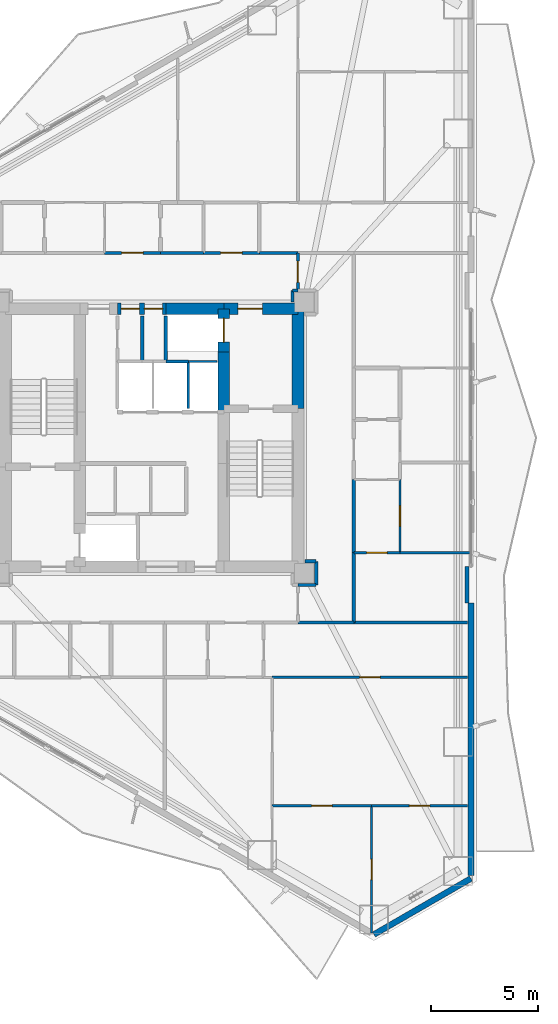
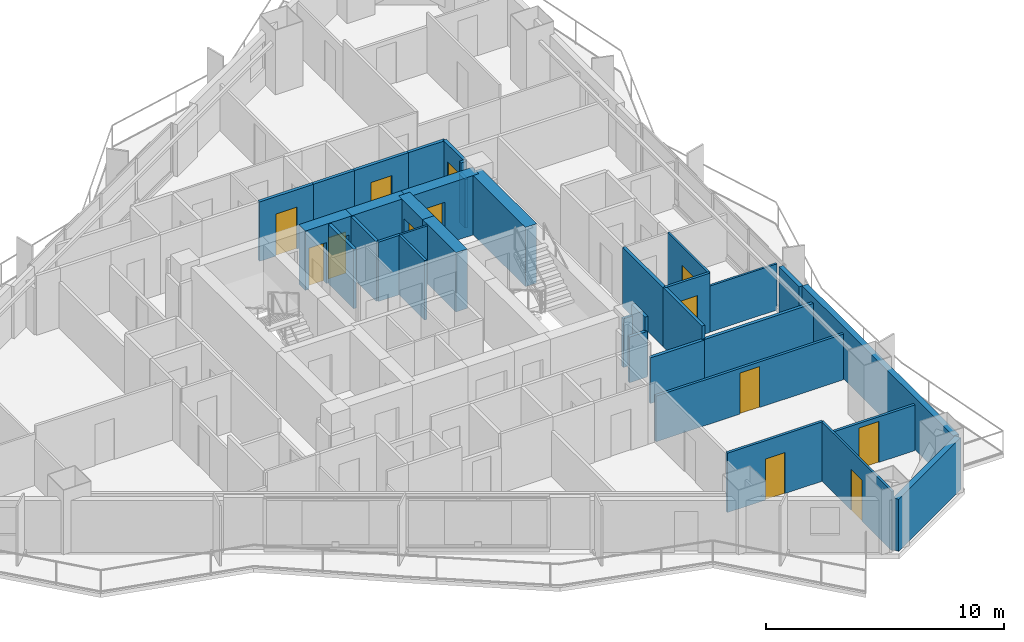
# One storey, part 15 of 19: 35 walls, 13 doors, 13 openings.
"""IFC4 building model written with IfcOpenShell, lengths in metres."""

from ifc_helpers import new_model, si_unit, direction, frame, frame_2d, origin, place, context, subcontext, project, spatial, rectangle, extrude, material, layer, layer_set, type_object, element, fill, save


model = new_model("IFC4")

# Units and contexts
model_context = context("Model", 3, precision=1e-05, world=origin(), true_north=direction((0.0, 1.0)))
body_context = subcontext(model_context, "Body", "Model", "MODEL_VIEW")
ifc_project = project(units=[si_unit("LENGTHUNIT", "METRE"), si_unit("AREAUNIT", "SQUARE_METRE"), si_unit("VOLUMEUNIT", "CUBIC_METRE"), si_unit("PLANEANGLEUNIT", "RADIAN"), si_unit("MASSUNIT", "GRAM", prefix="KILO")], contexts=[model_context])

# Site, building, storey
site_placement = place(None, origin())
site = spatial("IfcSite", under=ifc_project, at=site_placement, CompositionType="ELEMENT")
building_placement = place(site_placement, origin())
building = spatial("IfcBuilding", under=site, at=building_placement, Name="Mersakhor Tower and Convention Hall", CompositionType="ELEMENT")
storey_placement = place(building_placement, frame((0.0, 0.0, 22.5)))
storey = spatial("IfcBuildingStorey", under=building, at=storey_placement, Name="L05", CompositionType="ELEMENT", Elevation=22.5)

# Walls
ifc_material_1 = material(Name="Precast concrete C45/55", Category="concrete")
ifc_layer_1 = layer(ifc_material_1, 0.27490234375)
ifc_layer_set_1 = layer_set([ifc_layer_1], Name="Precast concrete C45/55")
wall_type_1 = type_object("IfcWallType", Name="WL-EXT-275", PredefinedType="SOLIDWALL", material=ifc_layer_set_1)
wall_1_placement = place(storey_placement, frame((43.85009765625, 6.240234375, 0.0), z_axis=(0.0, 0.0, 1.0), x_axis=(-0.866043601342, -0.499968479581, 0.0)))
element("IfcWall", 1, at=wall_1_placement, inside=storey, type_object=wall_type_1, Name="L05 Chamfer Braced Spandrel Wall C2", PredefinedType="SOLIDWALL", context=body_context, shape_type="SweptSolid", body=[
    extrude(rectangle(XDim=5.211181640625, YDim=0.27490234375, at=frame_2d((2.60546875, 0.0))), origin(), (0.0, 0.0, 1.0), 2.659912109375),
])
wall_2_placement = place(storey_placement, frame((43.85009765625, 19.0634765625, 0.0), z_axis=(0.0, 0.0, 1.0), x_axis=(0.0, -1.0, 0.0)))
element("IfcWall", 2, at=wall_2_placement, inside=storey, type_object=wall_type_1, Name="L05 Exterior Facade Wall F2-B3", PredefinedType="SOLIDWALL", context=body_context, shape_type="SweptSolid", body=[
    extrude(rectangle(XDim=12.673095703125, YDim=0.27490234375, at=frame_2d((6.33642578125, 0.0))), origin(), (0.0, 0.0, 1.0), 2.659912109375),
])
ifc_material_2 = material(Name="Precast concrete C40/50", Category="concrete")
ifc_layer_2 = layer(ifc_material_2, 0.199951171875)
ifc_layer_set_2 = layer_set([ifc_layer_2], Name="Precast concrete C40/50")
wall_type_2 = type_object("IfcWallType", Name="WL-PAR-200", PredefinedType="PARAPET", material=ifc_layer_set_2)
wall_3_placement = place(storey_placement, frame((43.669921875, 20.763427734375, 0.0), z_axis=(0.0, 0.0, 1.0), x_axis=(0.0, -1.0, 0.0)))
element("IfcWall", 3, at=wall_3_placement, inside=storey, type_object=wall_type_2, Name="L05 Column Pier Cladding Wall F2-C2", PredefinedType="PARAPET", context=body_context, shape_type="SweptSolid", body=[
    extrude(rectangle(XDim=1.699951171875, YDim=0.199951171875, at=frame_2d((0.85009765625, 0.0))), origin(), (0.0, 0.0, 1.0), 2.659912109375),
])
ifc_material_3 = material(Name="Lightweight gypsum partition", Category="other")
ifc_layer_3 = layer(ifc_material_3, 0.10009765625)
ifc_layer_set_3 = layer_set([ifc_layer_3], Name="Lightweight gypsum partition")
wall_type_3 = type_object("IfcWallType", Name="WL-PRT-100", PredefinedType="PARTITIONING", material=ifc_layer_set_3)
wall_4_placement = place(storey_placement, frame((32.02490234375, 30.300048828125, 0.0), z_axis=(0.0, 0.0, 1.0), x_axis=(-1.0, 0.0, 0.0)))
element("IfcWall", 4, at=wall_4_placement, inside=storey, type_object=wall_type_3, Name="L05 Interior Partition Wall P-004", PredefinedType="PARTITIONING", context=body_context, shape_type="SweptSolid", body=[
    extrude(rectangle(XDim=1.324951171875, YDim=0.10009765625, at=frame_2d((0.66259765625, 0.0))), origin(), (0.0, 0.0, 1.0), 3.0400390625),
])
wall_5_placement = place(storey_placement, frame((40.550048828125, 21.39990234375, 0.0), z_axis=(0.0, 0.0, 1.0), x_axis=(1.0, 0.0, 0.0)))
element("IfcWall", 5, at=wall_5_placement, inside=storey, type_object=wall_type_3, Name="L05 Interior Partition Wall P-102", PredefinedType="PARTITIONING", context=body_context, shape_type="SweptSolid", body=[
    extrude(rectangle(XDim=3.263916015625, YDim=0.10009765625, at=frame_2d((1.6318359375, 0.0))), origin(), (0.0, 0.0, 1.0), 2.364990234375),
])

# Wall, opening, door
wall_6_placement = place(storey_placement, frame((39.22998046875, 9.6201171875, 0.0), z_axis=(0.0, 0.0, 1.0), x_axis=(0.0, -1.0, 0.0)))
wall_6 = element("IfcWall", 6, at=wall_6_placement, inside=storey, type_object=wall_type_3, Name="L05 Interior Partition Wall P-134", PredefinedType="PARTITIONING", context=body_context, shape_type="SweptSolid", body=[
    extrude(rectangle(XDim=5.924072265625, YDim=0.10009765625, at=frame_2d((2.9619140625, 0.0))), origin(), (0.0, 0.0, 1.0), 3.0400390625),
])
opening_1_placement = place(wall_6_placement, frame((2.487060546875, 0.0, 0.0)))
opening_1 = element("IfcOpeningElement", 7, at=opening_1_placement, cuts=wall_6, Name="Opening RD-01", PredefinedType="OPENING", context=body_context, shape_type="SweptSolid", body=[
    extrude(rectangle(XDim=0.949951171875, YDim=2.10009765625, at=frame_2d((0.47509765625, 1.050048828125))), frame((0.0, 0.06005859375, 0.0), z_axis=(0.0, -1.0, 0.0), x_axis=(1.0, 0.0, 0.0)), (0.0, 0.0, 1.0), 0.1201171875),
])
ifc_material_4 = material(Name="Solid-core hardwood leaf in painted steel frame", Category="steel")
door_type_1 = type_object("IfcDoorType", Name="DR-INT-RM-095x210", OperationType="NOTDEFINED", PredefinedType="DOOR", material=ifc_material_4)
door_1_placement = place(opening_1_placement, origin())
door_1 = element("IfcDoor", 8, at=door_1_placement, inside=storey, type_object=door_type_1, Name="L05 L05 Flat S3 Bedroom 1 to L05 Flat S3 Study Room Door", OperationType="SINGLE_SWING_LEFT", OverallHeight=2.10009765625, OverallWidth=0.949951171875, PredefinedType="DOOR", context=body_context, shape_type="SweptSolid", body=[
    extrude(rectangle(XDim=0.949951171875, YDim=2.10009765625, at=frame_2d((0.47509765625, 1.050048828125))), frame((0.0, 0.02490234375, 0.0), z_axis=(0.0, -1.0, 0.0), x_axis=(1.0, 0.0, 0.0)), (0.0, 0.0, 1.0), 0.050048828125),
])
fill(opening_1, door_1)

wall_7_placement = place(storey_placement, frame((40.550048828125, 21.39990234375, 0.0), z_axis=(0.0, 0.0, 1.0), x_axis=(0.0, 1.0, 0.0)))
wall_7 = element("IfcWall", 9, at=wall_7_placement, inside=storey, type_object=wall_type_3, Name="L05 Interior Partition Wall P-146", PredefinedType="PARTITIONING", context=body_context, shape_type="SweptSolid", body=[
    extrude(rectangle(XDim=3.400146484375, YDim=0.10009765625, at=frame_2d((1.7001953125, 0.0))), origin(), (0.0, 0.0, 1.0), 3.0400390625),
])
opening_2_placement = place(wall_7_placement, frame((1.22509765625, 0.0, 0.0)))
opening_2 = element("IfcOpeningElement", 10, at=opening_2_placement, cuts=wall_7, Name="Opening RD-01", PredefinedType="OPENING", context=body_context, shape_type="SweptSolid", body=[
    extrude(rectangle(XDim=0.949951171875, YDim=2.10009765625, at=frame_2d((0.47509765625, 1.050048828125))), frame((0.0, 0.06005859375, 0.0), z_axis=(0.0, -1.0, 0.0), x_axis=(1.0, 0.0, 0.0)), (0.0, 0.0, 1.0), 0.1201171875),
])
door_2_placement = place(opening_2_placement, origin())
door_2 = element("IfcDoor", 11, at=door_2_placement, inside=storey, type_object=door_type_1, Name="L05 L05 Flat E5 Bedroom 2 to L05 Flat E5 Dining Alcove Door", OperationType="SINGLE_SWING_LEFT", OverallHeight=2.10009765625, OverallWidth=0.949951171875, PredefinedType="DOOR", context=body_context, shape_type="SweptSolid", body=[
    extrude(rectangle(XDim=0.949951171875, YDim=2.10009765625, at=frame_2d((0.47509765625, 1.050048828125))), frame((0.0, 0.02490234375, 0.0), z_axis=(0.0, -1.0, 0.0), x_axis=(1.0, 0.0, 0.0)), (0.0, 0.0, 1.0), 0.050048828125),
])
fill(opening_2, door_2)

# Walls
ifc_material_5 = material(Name="Gypsum board acoustic partition", Category="other")
ifc_layer_4 = layer(ifc_material_5, 0.125)
ifc_layer_set_4 = layer_set([ifc_layer_4], Name="Gypsum board acoustic partition")
wall_type_4 = type_object("IfcWallType", Name="WL-PRT-125", PredefinedType="PARTITIONING", material=ifc_layer_set_4)
wall_8_placement = place(storey_placement, frame((30.699951171875, 30.300048828125, 0.0), z_axis=(0.0, 0.0, 1.0), x_axis=(-1.0, 0.0, 0.0)))
element("IfcWall", 12, at=wall_8_placement, inside=storey, type_object=wall_type_4, Name="L05 Interior Partition Wall P-005", PredefinedType="PARTITIONING", context=body_context, shape_type="SweptSolid", body=[
    extrude(rectangle(XDim=1.050048828125, YDim=0.125, at=frame_2d((0.52490234375, 0.0))), origin(), (0.0, 0.0, 1.0), 3.0400390625),
])
wall_9_placement = place(storey_placement, frame((30.699951171875, 30.300048828125, 0.0), z_axis=(0.0, 0.0, 1.0), x_axis=(0.0, -1.0, 0.0)))
element("IfcWall", 13, at=wall_9_placement, inside=storey, type_object=wall_type_4, Name="L05 Interior Partition Wall P-017", PredefinedType="PARTITIONING", context=body_context, shape_type="SweptSolid", body=[
    extrude(rectangle(XDim=2.199951171875, YDim=0.125, at=frame_2d((1.10009765625, 0.0))), origin(), (0.0, 0.0, 1.0), 3.0400390625),
])

# Wall, opening, door
wall_10_placement = place(storey_placement, frame((43.6884765625, 15.60009765625, 0.0), z_axis=(0.0, 0.0, 1.0), x_axis=(-1.0, 0.0, 0.0)))
wall_10 = element("IfcWall", 14, at=wall_10_placement, inside=storey, type_object=wall_type_4, Name="L05 Interior Partition Wall P-093", PredefinedType="PARTITIONING", context=body_context, shape_type="SweptSolid", body=[
    extrude(rectangle(XDim=9.08837890625, YDim=0.125, at=frame_2d((4.544189453125, 0.0))), origin(), (0.0, 0.0, 1.0), 2.33740234375),
])
opening_3_placement = place(wall_10_placement, frame((4.069091796875, 0.0, 0.0)))
opening_3 = element("IfcOpeningElement", 15, at=opening_3_placement, cuts=wall_10, Name="Opening RD-01", PredefinedType="OPENING", context=body_context, shape_type="SweptSolid", body=[
    extrude(rectangle(XDim=0.949951171875, YDim=2.10009765625, at=frame_2d((0.47509765625, 1.050048828125))), frame((0.0, 0.072509765625, 0.0), z_axis=(0.0, -1.0, 0.0), x_axis=(1.0, 0.0, 0.0)), (0.0, 0.0, 1.0), 0.14501953125),
])
door_3_placement = place(opening_3_placement, origin())
door_3 = element("IfcDoor", 16, at=door_3_placement, inside=storey, type_object=door_type_1, Name="L05 L05 Flat S3 Kitchen to L05 Flat S3 Dining Room Door", OperationType="SINGLE_SWING_LEFT", OverallHeight=2.10009765625, OverallWidth=0.949951171875, PredefinedType="DOOR", context=body_context, shape_type="SweptSolid", body=[
    extrude(rectangle(XDim=0.949951171875, YDim=2.10009765625, at=frame_2d((0.47509765625, 1.050048828125))), frame((0.0, 0.02490234375, 0.0), z_axis=(0.0, -1.0, 0.0), x_axis=(1.0, 0.0, 0.0)), (0.0, 0.0, 1.0), 0.050048828125),
])
fill(opening_3, door_3)

wall_11_placement = place(storey_placement, frame((38.39990234375, 21.39990234375, 0.0), z_axis=(0.0, 0.0, 1.0), x_axis=(1.0, 0.0, 0.0)))
wall_11 = element("IfcWall", 17, at=wall_11_placement, inside=storey, type_object=wall_type_4, Name="L05 Interior Partition Wall P-101", PredefinedType="PARTITIONING", context=body_context, shape_type="SweptSolid", body=[
    extrude(rectangle(XDim=2.150146484375, YDim=0.125, at=frame_2d((1.0751953125, 0.0))), origin(), (0.0, 0.0, 1.0), 3.0400390625),
])
opening_4_placement = place(wall_11_placement, frame((0.60009765625, 0.0, 0.0)))
opening_4 = element("IfcOpeningElement", 18, at=opening_4_placement, cuts=wall_11, Name="Opening RD-01", PredefinedType="OPENING", context=body_context, shape_type="SweptSolid", body=[
    extrude(rectangle(XDim=0.949951171875, YDim=2.10009765625, at=frame_2d((0.47509765625, 1.050048828125))), frame((0.0, 0.072509765625, 0.0), z_axis=(0.0, -1.0, 0.0), x_axis=(1.0, 0.0, 0.0)), (0.0, 0.0, 1.0), 0.14501953125),
])
door_4_placement = place(opening_4_placement, origin())
door_4 = element("IfcDoor", 19, at=door_4_placement, inside=storey, type_object=door_type_1, Name="L05 L05 Flat E5 Kitchen to L05 Flat E5 Dining Alcove Door", OperationType="SINGLE_SWING_LEFT", OverallHeight=2.10009765625, OverallWidth=0.949951171875, PredefinedType="DOOR", context=body_context, shape_type="SweptSolid", body=[
    extrude(rectangle(XDim=0.949951171875, YDim=2.10009765625, at=frame_2d((0.47509765625, 1.050048828125))), frame((0.0, 0.02490234375, 0.0), z_axis=(0.0, -1.0, 0.0), x_axis=(1.0, 0.0, 0.0)), (0.0, 0.0, 1.0), 0.050048828125),
])
fill(opening_4, door_4)

wall_12_placement = place(storey_placement, frame((34.60009765625, 9.6201171875, 0.0), z_axis=(0.0, 0.0, 1.0), x_axis=(1.0, 0.0, 0.0)))
wall_12 = element("IfcWall", 20, at=wall_12_placement, inside=storey, type_object=wall_type_4, Name="L05 Interior Partition Wall P-133", PredefinedType="PARTITIONING", context=body_context, shape_type="SweptSolid", body=[
    extrude(rectangle(XDim=4.6298828125, YDim=0.125, at=frame_2d((2.31494140625, 0.0))), origin(), (0.0, 0.0, 1.0), 3.0400390625),
])
opening_5_placement = place(wall_12_placement, frame((1.840087890625, 0.0, 0.0)))
opening_5 = element("IfcOpeningElement", 21, at=opening_5_placement, cuts=wall_12, Name="Opening RD-01", PredefinedType="OPENING", context=body_context, shape_type="SweptSolid", body=[
    extrude(rectangle(XDim=0.949951171875, YDim=2.10009765625, at=frame_2d((0.47509765625, 1.050048828125))), frame((0.0, 0.072509765625, 0.0), z_axis=(0.0, -1.0, 0.0), x_axis=(1.0, 0.0, 0.0)), (0.0, 0.0, 1.0), 0.14501953125),
])
door_5_placement = place(opening_5_placement, origin())
door_5 = element("IfcDoor", 22, at=door_5_placement, inside=storey, type_object=door_type_1, Name="L05 L05 Flat S3 Bedroom 1 to L05 Flat S3 Dining Room Door", OperationType="SINGLE_SWING_RIGHT", OverallHeight=2.10009765625, OverallWidth=0.949951171875, PredefinedType="DOOR", context=body_context, shape_type="SweptSolid", body=[
    extrude(rectangle(XDim=0.949951171875, YDim=2.10009765625, at=frame_2d((0.47509765625, 1.050048828125))), frame((0.0, 0.02490234375, 0.0), z_axis=(0.0, -1.0, 0.0), x_axis=(1.0, 0.0, 0.0)), (0.0, 0.0, 1.0), 0.050048828125),
])
fill(opening_5, door_5)

wall_13_placement = place(storey_placement, frame((39.22998046875, 9.6201171875, 0.0), z_axis=(0.0, 0.0, 1.0), x_axis=(1.0, 0.0, 0.0)))
wall_13 = element("IfcWall", 23, at=wall_13_placement, inside=storey, type_object=wall_type_4, Name="L05 Interior Partition Wall P-135", PredefinedType="PARTITIONING", context=body_context, shape_type="SweptSolid", body=[
    extrude(rectangle(XDim=4.45849609375, YDim=0.125, at=frame_2d((2.229248046875, 0.0))), origin(), (0.0, 0.0, 1.0), 2.33740234375),
])
opening_6_placement = place(wall_13_placement, frame((1.75439453125, 0.0, 0.0)))
opening_6 = element("IfcOpeningElement", 24, at=opening_6_placement, cuts=wall_13, Name="Opening RD-01", PredefinedType="OPENING", context=body_context, shape_type="SweptSolid", body=[
    extrude(rectangle(XDim=0.949951171875, YDim=2.10009765625, at=frame_2d((0.47509765625, 1.050048828125))), frame((0.0, 0.072509765625, 0.0), z_axis=(0.0, -1.0, 0.0), x_axis=(1.0, 0.0, 0.0)), (0.0, 0.0, 1.0), 0.14501953125),
])
door_6_placement = place(opening_6_placement, origin())
door_6 = element("IfcDoor", 25, at=door_6_placement, inside=storey, type_object=door_type_1, Name="L05 L05 Flat S3 Study Room to L05 Flat S3 Dining Room Door", OperationType="SINGLE_SWING_LEFT", OverallHeight=2.10009765625, OverallWidth=0.949951171875, PredefinedType="DOOR", context=body_context, shape_type="SweptSolid", body=[
    extrude(rectangle(XDim=0.949951171875, YDim=2.10009765625, at=frame_2d((0.47509765625, 1.050048828125))), frame((0.0, 0.02490234375, 0.0), z_axis=(0.0, -1.0, 0.0), x_axis=(1.0, 0.0, 0.0)), (0.0, 0.0, 1.0), 0.050048828125),
])
fill(opening_6, door_6)

# Wall
ifc_material_6 = material(Name="Fire-rated gypsum board stud partition", Category="other")
ifc_layer_5 = layer(ifc_material_6, 0.14990234375)
ifc_layer_set_5 = layer_set([ifc_layer_5], Name="Fire-rated gypsum board stud partition")
wall_type_5 = type_object("IfcWallType", Name="WL-PRT-150", PredefinedType="PARTITIONING", material=ifc_layer_set_5)
wall_14_placement = place(storey_placement, frame((29.64990234375, 30.300048828125, 0.0), z_axis=(0.0, 0.0, 1.0), x_axis=(0.0, 1.0, 0.0)))
element("IfcWall", 26, at=wall_14_placement, inside=storey, type_object=wall_type_5, Name="L05 Interior Partition Wall P-006", PredefinedType="PARTITIONING", context=body_context, shape_type="SweptSolid", body=[
    extrude(rectangle(XDim=2.125, YDim=0.14990234375, at=frame_2d((1.0625, 0.0))), origin(), (0.0, 0.0, 1.0), 3.0400390625),
])

# Wall, opening, door
wall_15_placement = place(storey_placement, frame((26.800048828125, 35.35009765625, 0.0), z_axis=(0.0, 0.0, 1.0), x_axis=(1.0, 0.0, 0.0)))
wall_15 = element("IfcWall", 27, at=wall_15_placement, inside=storey, type_object=wall_type_5, Name="L05 Interior Partition Wall P-040", PredefinedType="PARTITIONING", context=body_context, shape_type="SweptSolid", body=[
    extrude(rectangle(XDim=2.599853515625, YDim=0.14990234375, at=frame_2d((1.2998046875, 0.0))), origin(), (0.0, 0.0, 1.0), 3.0400390625),
])
opening_7_placement = place(wall_15_placement, frame((0.800048828125, 0.0, 0.0)))
opening_7 = element("IfcOpeningElement", 28, at=opening_7_placement, cuts=wall_15, Name="Opening FD-01", PredefinedType="OPENING", context=body_context, shape_type="SweptSolid", body=[
    extrude(rectangle(XDim=1.0, YDim=2.14990234375, at=frame_2d((0.5, 1.074951171875))), frame((0.0, 0.0849609375, 0.0), z_axis=(0.0, -1.0, 0.0), x_axis=(1.0, 0.0, 0.0)), (0.0, 0.0, 1.0), 0.169921875),
])
ifc_material_7 = material(Name="Fire-rated hardwood leaf and painted steel frame", Category="steel")
door_type_2 = type_object("IfcDoorType", Name="DR-INT-FLT-100x215", OperationType="NOTDEFINED", PredefinedType="DOOR", material=ifc_material_7)
door_7_placement = place(opening_7_placement, origin())
door_7 = element("IfcDoor", 29, at=door_7_placement, inside=storey, type_object=door_type_2, Name="L05 Apartment Entrance Door (Residential Ring Corridor to L05 Flat N1 Apartment Hall)", OperationType="SINGLE_SWING_LEFT", OverallHeight=2.14990234375, OverallWidth=1.0, PredefinedType="DOOR", context=body_context, shape_type="SweptSolid", body=[
    extrude(rectangle(XDim=1.0, YDim=2.14990234375, at=frame_2d((0.5, 1.074951171875))), frame((0.0, 0.02490234375, 0.0), z_axis=(0.0, -1.0, 0.0), x_axis=(1.0, 0.0, 0.0)), (0.0, 0.0, 1.0), 0.050048828125),
])
fill(opening_7, door_7)

# Wall
wall_16_placement = place(storey_placement, frame((29.39990234375, 35.35009765625, 0.0), z_axis=(0.0, 0.0, 1.0), x_axis=(1.0, 0.0, 0.0)))
element("IfcWall", 30, at=wall_16_placement, inside=storey, type_object=wall_type_5, Name="L05 Interior Partition Wall P-041", PredefinedType="PARTITIONING", context=body_context, shape_type="SweptSolid", body=[
    extrude(rectangle(XDim=2.0, YDim=0.14990234375, at=frame_2d((1.0, 0.0))), origin(), (0.0, 0.0, 1.0), 3.0400390625),
])

# Wall, opening, door
wall_17_placement = place(storey_placement, frame((31.39990234375, 35.35009765625, 0.0), z_axis=(0.0, 0.0, 1.0), x_axis=(1.0, 0.0, 0.0)))
wall_17 = element("IfcWall", 31, at=wall_17_placement, inside=storey, type_object=wall_type_5, Name="L05 Interior Partition Wall P-042", PredefinedType="PARTITIONING", context=body_context, shape_type="SweptSolid", body=[
    extrude(rectangle(XDim=2.60009765625, YDim=0.14990234375, at=frame_2d((1.300048828125, 0.0))), origin(), (0.0, 0.0, 1.0), 3.0400390625),
])
opening_8_placement = place(wall_17_placement, frame((0.800048828125, 0.0, 0.0)))
opening_8 = element("IfcOpeningElement", 32, at=opening_8_placement, cuts=wall_17, Name="Opening FD-01", PredefinedType="OPENING", context=body_context, shape_type="SweptSolid", body=[
    extrude(rectangle(XDim=1.0, YDim=2.14990234375, at=frame_2d((0.5, 1.074951171875))), frame((0.0, 0.0849609375, 0.0), z_axis=(0.0, -1.0, 0.0), x_axis=(1.0, 0.0, 0.0)), (0.0, 0.0, 1.0), 0.169921875),
])
door_8_placement = place(opening_8_placement, origin())
door_8 = element("IfcDoor", 33, at=door_8_placement, inside=storey, type_object=door_type_2, Name="L05 Residential Ring Corridor to L05 North Wing Shared Laundry Room Door", OperationType="SINGLE_SWING_LEFT", OverallHeight=2.14990234375, OverallWidth=1.0, PredefinedType="DOOR", context=body_context, shape_type="SweptSolid", body=[
    extrude(rectangle(XDim=1.0, YDim=2.14990234375, at=frame_2d((0.5, 1.074951171875))), frame((0.0, 0.02490234375, 0.0), z_axis=(0.0, -1.0, 0.0), x_axis=(1.0, 0.0, 0.0)), (0.0, 0.0, 1.0), 0.050048828125),
])
fill(opening_8, door_8)

# Wall
wall_18_placement = place(storey_placement, frame((34.0, 35.35009765625, 0.0), z_axis=(0.0, 0.0, 1.0), x_axis=(1.0, 0.0, 0.0)))
element("IfcWall", 34, at=wall_18_placement, inside=storey, type_object=wall_type_5, Name="L05 Interior Partition Wall P-043", PredefinedType="PARTITIONING", context=body_context, shape_type="SweptSolid", body=[
    extrude(rectangle(XDim=1.800048828125, YDim=0.14990234375, at=frame_2d((0.89990234375, 0.0))), origin(), (0.0, 0.0, 1.0), 3.0400390625),
])

# Wall, opening, door
wall_19_placement = place(storey_placement, frame((35.800048828125, 35.35009765625, 0.0), z_axis=(0.0, 0.0, 1.0), x_axis=(0.0, -1.0, 0.0)))
wall_19 = element("IfcWall", 35, at=wall_19_placement, inside=storey, type_object=wall_type_5, Name="L05 Interior Partition Wall P-044", PredefinedType="PARTITIONING", context=body_context, shape_type="SweptSolid", body=[
    extrude(rectangle(XDim=1.75, YDim=0.14990234375, at=frame_2d((0.875, 0.0))), origin(), (0.0, 0.0, 1.0), 3.0400390625),
])
opening_9_placement = place(wall_19_placement, frame((0.375, 0.0, 0.0)))
opening_9 = element("IfcOpeningElement", 36, at=opening_9_placement, cuts=wall_19, Name="Opening FD-01", PredefinedType="OPENING", context=body_context, shape_type="SweptSolid", body=[
    extrude(rectangle(XDim=1.0, YDim=2.14990234375, at=frame_2d((0.5, 1.074951171875))), frame((0.0, 0.0849609375, 0.0), z_axis=(0.0, -1.0, 0.0), x_axis=(1.0, 0.0, 0.0)), (0.0, 0.0, 1.0), 0.169921875),
])
door_9_placement = place(opening_9_placement, origin())
door_9 = element("IfcDoor", 37, at=door_9_placement, inside=storey, type_object=door_type_2, Name="L05 Ring Corridor Fire Door", OperationType="SINGLE_SWING_RIGHT", OverallHeight=2.14990234375, OverallWidth=1.0, PredefinedType="DOOR", context=body_context, shape_type="SweptSolid", body=[
    extrude(rectangle(XDim=1.0, YDim=2.14990234375, at=frame_2d((0.5, 1.074951171875))), frame((0.0, 0.02490234375, 0.0), z_axis=(0.0, -1.0, 0.0), x_axis=(1.0, 0.0, 0.0)), (0.0, 0.0, 1.0), 0.050048828125),
])
fill(opening_9, door_9)

# Walls
wall_20_placement = place(storey_placement, frame((35.800048828125, 33.60009765625, 0.0), z_axis=(0.0, 0.0, 1.0), x_axis=(-1.0, 0.0, 0.0)))
element("IfcWall", 38, at=wall_20_placement, inside=storey, type_object=wall_type_5, Name="L05 Interior Partition Wall P-045", PredefinedType="PARTITIONING", context=body_context, shape_type="SweptSolid", body=[
    extrude(rectangle(XDim=0.25, YDim=0.14990234375, at=frame_2d((0.125, 0.0))), origin(), (0.0, 0.0, 1.0), 3.0400390625),
])
wall_21_placement = place(storey_placement, frame((35.550048828125, 33.60009765625, 0.0), z_axis=(0.0, 0.0, 1.0), x_axis=(0.0, -1.0, 0.0)))
element("IfcWall", 39, at=wall_21_placement, inside=storey, type_object=wall_type_5, Name="L05 Interior Partition Wall P-046", PredefinedType="PARTITIONING", context=body_context, shape_type="SweptSolid", body=[
    extrude(rectangle(XDim=0.525146484375, YDim=0.14990234375, at=frame_2d((0.2626953125, 0.0))), origin(), (0.0, 0.0, 1.0), 2.48828125),
])
wall_22_placement = place(storey_placement, frame((36.64990234375, 21.0, 0.0), z_axis=(0.0, 0.0, 1.0), x_axis=(-1.0, 0.0, 0.0)))
element("IfcWall", 40, at=wall_22_placement, inside=storey, type_object=wall_type_5, Name="L05 Interior Partition Wall P-053", PredefinedType="PARTITIONING", context=body_context, shape_type="SweptSolid", body=[
    extrude(rectangle(XDim=0.52490234375, YDim=0.14990234375, at=frame_2d((0.262451171875, 0.0))), origin(), (0.0, 0.0, 1.0), 2.48828125),
])
wall_23_placement = place(storey_placement, frame((38.39990234375, 24.800048828125, 0.0), z_axis=(0.0, 0.0, 1.0), x_axis=(0.0, -1.0, 0.0)))
element("IfcWall", 41, at=wall_23_placement, inside=storey, type_object=wall_type_5, Name="L05 Interior Partition Wall P-061", PredefinedType="PARTITIONING", context=body_context, shape_type="SweptSolid", body=[
    extrude(rectangle(XDim=3.400146484375, YDim=0.14990234375, at=frame_2d((1.7001953125, 0.0))), origin(), (0.0, 0.0, 1.0), 3.0400390625),
])
wall_24_placement = place(storey_placement, frame((38.39990234375, 21.39990234375, 0.0), z_axis=(0.0, 0.0, 1.0), x_axis=(0.0, -1.0, 0.0)))
element("IfcWall", 42, at=wall_24_placement, inside=storey, type_object=wall_type_5, Name="L05 Interior Partition Wall P-062", PredefinedType="PARTITIONING", context=body_context, shape_type="SweptSolid", body=[
    extrude(rectangle(XDim=3.25, YDim=0.14990234375, at=frame_2d((1.625, 0.0))), origin(), (0.0, 0.0, 1.0), 3.0400390625),
])
wall_25_placement = place(storey_placement, frame((38.39990234375, 18.14990234375, 0.0), z_axis=(0.0, 0.0, 1.0), x_axis=(-1.0, 0.0, 0.0)))
element("IfcWall", 43, at=wall_25_placement, inside=storey, type_object=wall_type_5, Name="L05 Interior Partition Wall P-063", PredefinedType="PARTITIONING", context=body_context, shape_type="SweptSolid", body=[
    extrude(rectangle(XDim=2.599853515625, YDim=0.14990234375, at=frame_2d((1.2998046875, 0.0))), origin(), (0.0, 0.0, 1.0), 2.33740234375),
])
wall_26_placement = place(storey_placement, frame((35.800048828125, 19.89990234375, 0.0), z_axis=(0.0, 0.0, 1.0), x_axis=(1.0, 0.0, 0.0)))
element("IfcWall", 44, at=wall_26_placement, inside=storey, type_object=wall_type_5, Name="L05 Interior Partition Wall P-064", PredefinedType="PARTITIONING", context=body_context, shape_type="SweptSolid", body=[
    extrude(rectangle(XDim=0.849853515625, YDim=0.14990234375, at=frame_2d((0.4248046875, 0.0))), origin(), (0.0, 0.0, 1.0), 2.33740234375),
])
wall_27_placement = place(storey_placement, frame((36.64990234375, 19.89990234375, 0.0), z_axis=(0.0, 0.0, 1.0), x_axis=(0.0, 1.0, 0.0)))
element("IfcWall", 45, at=wall_27_placement, inside=storey, type_object=wall_type_5, Name="L05 Interior Partition Wall P-065", PredefinedType="PARTITIONING", context=body_context, shape_type="SweptSolid", body=[
    extrude(rectangle(XDim=1.10009765625, YDim=0.14990234375, at=frame_2d((0.550048828125, 0.0))), origin(), (0.0, 0.0, 1.0), 3.0400390625),
])
wall_28_placement = place(storey_placement, frame((38.39990234375, 18.14990234375, 0.0), z_axis=(0.0, 0.0, 1.0), x_axis=(1.0, 0.0, 0.0)))
element("IfcWall", 46, at=wall_28_placement, inside=storey, type_object=wall_type_5, Name="L05 Interior Partition Wall P-092", PredefinedType="PARTITIONING", context=body_context, shape_type="SweptSolid", body=[
    extrude(rectangle(XDim=5.28857421875, YDim=0.14990234375, at=frame_2d((2.644287109375, 0.0))), origin(), (0.0, 0.0, 1.0), 2.364990234375),
])
wall_29_placement = place(storey_placement, frame((28.550048828125, 32.425048828125, 0.0), z_axis=(0.0, 0.0, 1.0), x_axis=(0.0, -1.0, 0.0)))
element("IfcWall", 47, at=wall_29_placement, inside=storey, type_object=wall_type_5, Name="L05 Interior Partition Wall P-103", PredefinedType="PARTITIONING", context=body_context, shape_type="SweptSolid", body=[
    extrude(rectangle(XDim=2.125, YDim=0.14990234375, at=frame_2d((1.0625, 0.0))), origin(), (0.0, 0.0, 1.0), 3.0400390625),
])

# Wall, openings, doors
ifc_material_8 = material(Name="Concrete C70/85", Category="concrete")
ifc_layer_6 = layer(ifc_material_8, 0.550048828125)
ifc_layer_set_6 = layer_set([ifc_layer_6], Name="Concrete C70/85")
wall_type_6 = type_object("IfcWallType", Name="WL-SHR-550", PredefinedType="SHEAR", material=ifc_layer_set_6)
wall_30_placement = place(storey_placement, frame((27.39990234375, 32.75, 0.0), z_axis=(0.0, 0.0, 1.0), x_axis=(1.0, 0.0, 0.0)))
wall_30 = element("IfcWall", 48, at=wall_30_placement, inside=storey, type_object=wall_type_6, Name="L05 Core Wall CW-N2B", PredefinedType="SHEAR", context=body_context, shape_type="SweptSolid", body=[
    extrude(rectangle(XDim=2.25, YDim=0.550048828125, at=frame_2d((1.125, 0.0))), origin(), (0.0, 0.0, 1.0), 3.0400390625),
])
opening_10_placement = place(wall_30_placement, frame((0.169921875, 0.0, 0.0)))
opening_10 = element("IfcOpeningElement", 49, at=opening_10_placement, cuts=wall_30, Name="Opening SVD-01", PredefinedType="OPENING", context=body_context, shape_type="SweptSolid", body=[
    extrude(rectangle(XDim=0.85009765625, YDim=2.10009765625, at=frame_2d((0.425048828125, 1.050048828125))), frame((0.0, 0.284912109375, 0.0), z_axis=(0.0, -1.0, 0.0), x_axis=(1.0, 0.0, 0.0)), (0.0, 0.0, 1.0), 0.570068359375),
])
opening_11_placement = place(wall_30_placement, frame((1.2548828125, 0.0, 0.0)))
opening_11 = element("IfcOpeningElement", 50, at=opening_11_placement, cuts=wall_30, Name="Opening SVD-01", PredefinedType="OPENING", context=body_context, shape_type="SweptSolid", body=[
    extrude(rectangle(XDim=0.85009765625, YDim=2.10009765625, at=frame_2d((0.425048828125, 1.050048828125))), frame((0.0, 0.284912109375, 0.0), z_axis=(0.0, -1.0, 0.0), x_axis=(1.0, 0.0, 0.0)), (0.0, 0.0, 1.0), 0.570068359375),
])
ifc_material_9 = material(Name="Fire-rated hardwood leaf and painted steel frame", Category="steel")
door_type_3 = type_object("IfcDoorType", Name="DR-INT-SVC-085x210", OperationType="NOTDEFINED", PredefinedType="DOOR", material=ifc_material_9)
door_10_placement = place(opening_10_placement, origin())
door_10 = element("IfcDoor", 51, at=door_10_placement, inside=storey, type_object=door_type_3, Name="L05 Residential Ring Corridor to Telecoms Distribution Room Door", OperationType="SINGLE_SWING_LEFT", OverallHeight=2.10009765625, OverallWidth=0.85009765625, PredefinedType="DOOR", context=body_context, shape_type="SweptSolid", body=[
    extrude(rectangle(XDim=0.85009765625, YDim=2.10009765625, at=frame_2d((0.425048828125, 1.050048828125))), frame((0.0, 0.02490234375, 0.0), z_axis=(0.0, -1.0, 0.0), x_axis=(1.0, 0.0, 0.0)), (0.0, 0.0, 1.0), 0.050048828125),
])
fill(opening_10, door_10)
door_11_placement = place(opening_11_placement, origin())
door_11 = element("IfcDoor", 52, at=door_11_placement, inside=storey, type_object=door_type_3, Name="L05 Residential Ring Corridor to Floor Housekeeping Store Room Door", OperationType="SINGLE_SWING_RIGHT", OverallHeight=2.10009765625, OverallWidth=0.85009765625, PredefinedType="DOOR", context=body_context, shape_type="SweptSolid", body=[
    extrude(rectangle(XDim=0.85009765625, YDim=2.10009765625, at=frame_2d((0.425048828125, 1.050048828125))), frame((0.0, 0.02490234375, 0.0), z_axis=(0.0, -1.0, 0.0), x_axis=(1.0, 0.0, 0.0)), (0.0, 0.0, 1.0), 0.050048828125),
])
fill(opening_11, door_11)

# Wall
wall_31_placement = place(storey_placement, frame((29.64990234375, 32.75, 0.0), z_axis=(0.0, 0.0, 1.0), x_axis=(1.0, 0.0, 0.0)))
element("IfcWall", 53, at=wall_31_placement, inside=storey, type_object=wall_type_6, Name="L05 Core Wall CW-N3", PredefinedType="SHEAR", context=body_context, shape_type="SweptSolid", body=[
    extrude(rectangle(XDim=2.7001953125, YDim=0.550048828125, at=frame_2d((1.35009765625, 0.0))), origin(), (0.0, 0.0, 1.0), 3.0400390625),
])

# Wall, opening, door
wall_32_placement = place(storey_placement, frame((32.35009765625, 32.75, 0.0), z_axis=(0.0, 0.0, 1.0), x_axis=(1.0, 0.0, 0.0)))
wall_32 = element("IfcWall", 54, at=wall_32_placement, inside=storey, type_object=wall_type_6, Name="L05 Core Wall CW-N4", PredefinedType="SHEAR", context=body_context, shape_type="SweptSolid", body=[
    extrude(rectangle(XDim=3.449951171875, YDim=0.550048828125, at=frame_2d((1.72509765625, 0.0))), origin(), (0.0, 0.0, 1.0), 3.0400390625),
])
opening_12_placement = place(wall_32_placement, frame((0.64990234375, 0.0, 0.0)))
opening_12 = element("IfcOpeningElement", 55, at=opening_12_placement, cuts=wall_32, Name="Opening SD-01", PredefinedType="OPENING", context=body_context, shape_type="SweptSolid", body=[
    extrude(rectangle(XDim=1.14990234375, YDim=2.14990234375, at=frame_2d((0.574951171875, 1.074951171875))), frame((0.0, 0.284912109375, 0.0), z_axis=(0.0, -1.0, 0.0), x_axis=(1.0, 0.0, 0.0)), (0.0, 0.0, 1.0), 0.570068359375),
])
ifc_material_10 = material(Name="Fire-rated hardwood leaf and painted steel frame", Category="steel")
door_type_4 = type_object("IfcDoorType", Name="DR-INT-STAIR-115x215", OperationType="NOTDEFINED", PredefinedType="DOOR", material=ifc_material_10)
door_12_placement = place(opening_12_placement, origin())
door_12 = element("IfcDoor", 56, at=door_12_placement, inside=storey, type_object=door_type_4, Name="L05 Firefighting Lobby East Fire Door", OperationType="SINGLE_SWING_RIGHT", OverallHeight=2.14990234375, OverallWidth=1.14990234375, PredefinedType="DOOR", context=body_context, shape_type="SweptSolid", body=[
    extrude(rectangle(XDim=1.14990234375, YDim=2.14990234375, at=frame_2d((0.574951171875, 1.074951171875))), frame((0.0, 0.02490234375, 0.0), z_axis=(0.0, -1.0, 0.0), x_axis=(1.0, 0.0, 0.0)), (0.0, 0.0, 1.0), 0.050048828125),
])
fill(opening_12, door_12)

# Walls
wall_33_placement = place(storey_placement, frame((35.800048828125, 32.75, 0.0), z_axis=(0.0, 0.0, 1.0), x_axis=(0.0, -1.0, 0.0)))
element("IfcWall", 57, at=wall_33_placement, inside=storey, type_object=wall_type_6, Name="L05 Core Wall CW-E1", PredefinedType="SHEAR", context=body_context, shape_type="SweptSolid", body=[
    extrude(rectangle(XDim=4.64990234375, YDim=0.550048828125, at=frame_2d((2.324951171875, 0.0))), origin(), (0.0, 0.0, 1.0), 3.0400390625),
])
wall_34_placement = place(storey_placement, frame((32.35009765625, 27.949951171875, 0.0), z_axis=(0.0, 0.0, 1.0), x_axis=(0.0, 1.0, 0.0)))
element("IfcWall", 58, at=wall_34_placement, inside=storey, type_object=wall_type_6, Name="L05 Core Wall CS-E-MID", PredefinedType="SHEAR", context=body_context, shape_type="SweptSolid", body=[
    extrude(rectangle(XDim=2.800048828125, YDim=0.550048828125, at=frame_2d((1.39990234375, 0.0))), origin(), (0.0, 0.0, 1.0), 3.0400390625),
])

# Wall, opening, door
wall_35_placement = place(storey_placement, frame((32.35009765625, 30.75, 0.0), z_axis=(0.0, 0.0, 1.0), x_axis=(0.0, 1.0, 0.0)))
wall_35 = element("IfcWall", 59, at=wall_35_placement, inside=storey, type_object=wall_type_6, Name="L05 Core Wall CS-E-FFL", PredefinedType="SHEAR", context=body_context, shape_type="SweptSolid", body=[
    extrude(rectangle(XDim=2.0, YDim=0.550048828125, at=frame_2d((1.0, 0.0))), origin(), (0.0, 0.0, 1.0), 3.0400390625),
])
opening_13_placement = place(wall_35_placement, frame((0.449951171875, 0.0, 0.0)))
opening_13 = element("IfcOpeningElement", 60, at=opening_13_placement, cuts=wall_35, Name="Opening LD-FFL2", PredefinedType="OPENING", context=body_context, shape_type="SweptSolid", body=[
    extrude(rectangle(XDim=1.10009765625, YDim=2.14990234375, at=frame_2d((0.550048828125, 1.074951171875))), frame((0.0, 0.284912109375, 0.0), z_axis=(0.0, -1.0, 0.0), x_axis=(1.0, 0.0, 0.0)), (0.0, 0.0, 1.0), 0.570068359375),
])
ifc_material_11 = material(Name="Fire-rated brushed stainless steel sliding landing door", Category="steel")
door_type_5 = type_object("IfcDoorType", Name="DR-LIFT-SLD-110x215", OperationType="NOTDEFINED", PredefinedType="DOOR", material=ifc_material_11)
door_13_placement = place(opening_13_placement, origin())
door_13 = element("IfcDoor", 61, at=door_13_placement, inside=storey, type_object=door_type_5, Name="L05 Firefighting Lift Landing Door LD-FFL2", OperationType="SLIDING_TO_LEFT", OverallHeight=2.14990234375, OverallWidth=1.10009765625, PredefinedType="DOOR", context=body_context, shape_type="SweptSolid", body=[
    extrude(rectangle(XDim=1.10009765625, YDim=2.14990234375, at=frame_2d((0.550048828125, 1.074951171875))), frame((0.0, 0.02490234375, 0.0), z_axis=(0.0, -1.0, 0.0), x_axis=(1.0, 0.0, 0.0)), (0.0, 0.0, 1.0), 0.050048828125),
])
fill(opening_13, door_13)

save(model, "model.ifc")
